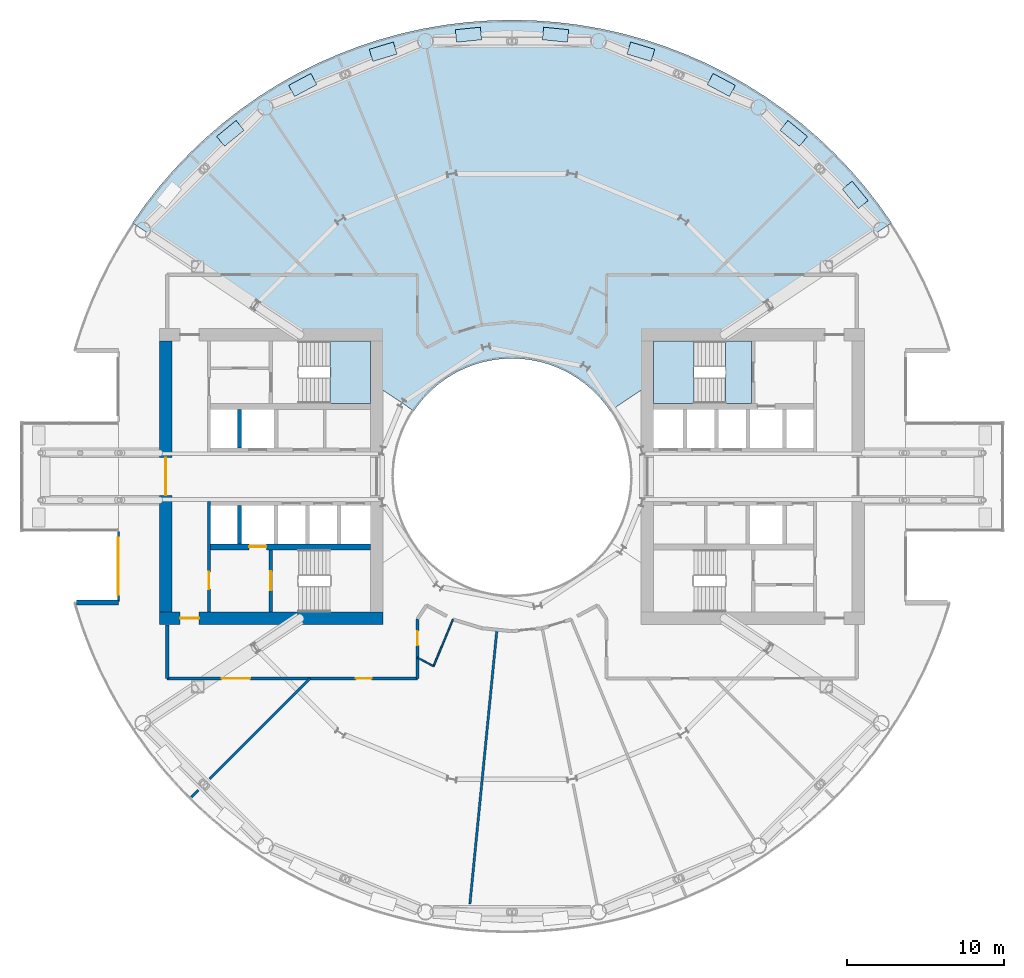
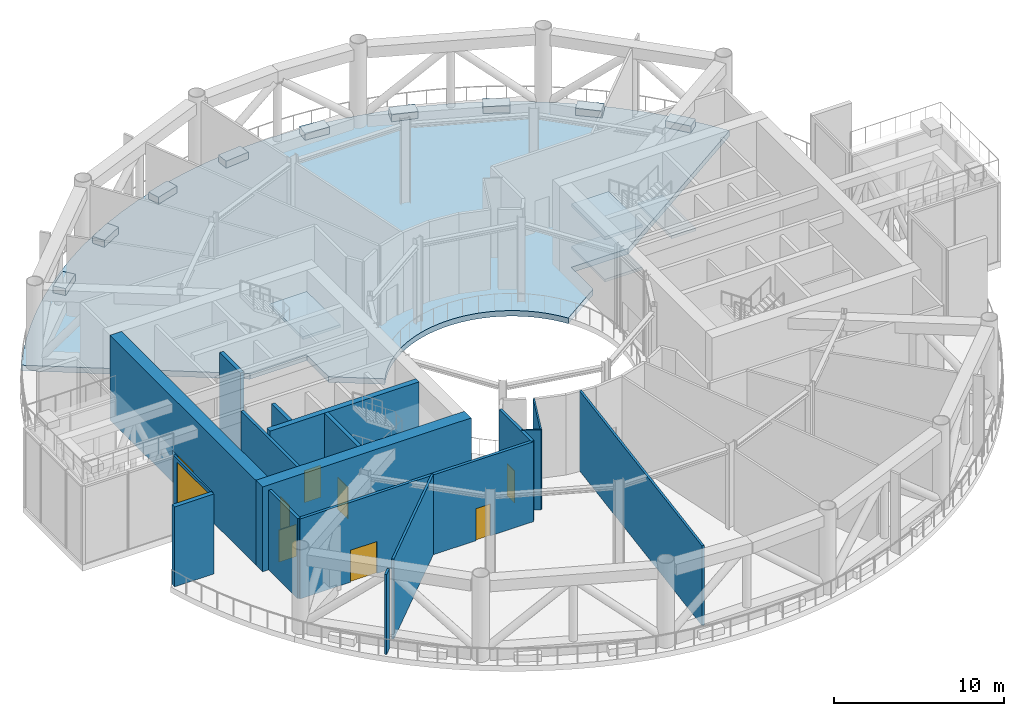
# One storey, part 10 of 22: 17 walls, 14 slabs, 8 doors, 1 window, 9 openings, 2 elements without a shape of their own.
"""IFC4 building model written with IfcOpenShell, lengths in metres."""

from ifc_helpers import new_model, si_unit, direction, frame, frame_2d, origin, place, context, subcontext, project, spatial, polyline, rectangle, outline, extrude, material, layer, layer_set, type_object, element, fill, aggregate, save


model = new_model("IFC4")

# Units and contexts
model_context = context("Model", 3, precision=1e-05, world=origin(), true_north=direction((0.0, 1.0)))
body_context = subcontext(model_context, "Body", "Model", "MODEL_VIEW")
ifc_project = project(units=[si_unit("LENGTHUNIT", "METRE"), si_unit("AREAUNIT", "SQUARE_METRE"), si_unit("VOLUMEUNIT", "CUBIC_METRE"), si_unit("PLANEANGLEUNIT", "RADIAN"), si_unit("MASSUNIT", "GRAM", prefix="KILO")], contexts=[model_context])

# Site, building, storey
site_placement = place(None, origin())
site = spatial("IfcSite", under=ifc_project, at=site_placement, CompositionType="ELEMENT")
building_placement = place(site_placement, origin())
building = spatial("IfcBuilding", under=site, at=building_placement, Name="Maasbend Ring Residences", CompositionType="ELEMENT")
storey_placement = place(building_placement, frame((0.0, 0.0, 57.5)))
storey = spatial("IfcBuildingStorey", under=building, at=storey_placement, Name="L16", CompositionType="ELEMENT", Elevation=57.5)

# Stair, slabs
ifc_material_1 = material(Name="Concrete C40/50", Category="concrete")
stair_type = type_object("IfcStairType", Name="CORE STAIR 36 RISERS", PredefinedType="HALF_TURN_STAIR", material=ifc_material_1)
stair_1_placement = place(storey_placement, origin())
stair_1 = element("IfcStair", 1, at=stair_1_placement, inside=storey, type_object=stair_type, Name="L16 Exit stair ST-E1", PredefinedType="HALF_TURN_STAIR")
ifc_material_2 = material(Name="Concrete C40/50", Category="concrete")
ifc_layer_1 = layer(ifc_material_2, 0.199951171875)
ifc_layer_set_1 = layer_set([ifc_layer_1], Name="Concrete C40/50")
slab_type_1 = type_object("IfcSlabType", Name="CORE STAIR LANDING 200", PredefinedType="LANDING", material=ifc_layer_set_1)
slab_1_placement = place(storey_placement, frame((0.0, 0.0, 1.324951171875)))
slab_1 = element("IfcSlab", 2, at=slab_1_placement, type_object=slab_type_1, Name="ST-E1 landing 1", PredefinedType="LANDING", context=body_context, shape_type="SweptSolid", body=[
    extrude(outline(polyline([(11.550048828125, 8.60009765625), (9.0, 8.60009765625), (9.0, 4.64990234375), (11.550048828125, 4.64990234375), (11.550048828125, 8.60009765625)])), origin(), (0.0, 0.0, 1.0), 0.199951171875),
])
slab_2_placement = place(storey_placement, frame((0.0, 0.0, 2.85009765625)))
slab_2 = element("IfcSlab", 3, at=slab_2_placement, type_object=slab_type_1, Name="ST-E1 landing 2", PredefinedType="LANDING", context=body_context, shape_type="SweptSolid", body=[
    extrude(outline(polyline([(15.199951171875, 8.60009765625), (13.550048828125, 8.60009765625), (13.550048828125, 4.64990234375), (15.199951171875, 4.64990234375), (15.199951171875, 8.60009765625)])), origin(), (0.0, 0.0, 1.0), 0.199951171875),
])
slab_3_placement = place(storey_placement, frame((0.0, 0.0, 4.375)))
slab_3 = element("IfcSlab", 4, at=slab_3_placement, type_object=slab_type_1, Name="ST-E1 landing 3", PredefinedType="LANDING", context=body_context, shape_type="SweptSolid", body=[
    extrude(outline(polyline([(11.550048828125, 8.60009765625), (9.0, 8.60009765625), (9.0, 4.64990234375), (11.550048828125, 4.64990234375), (11.550048828125, 8.60009765625)])), origin(), (0.0, 0.0, 1.0), 0.199951171875),
])
aggregate(stair_1, [slab_1, slab_2, slab_3])

# Stair, slab
stair_2_placement = place(storey_placement, origin())
stair_2 = element("IfcStair", 5, at=stair_2_placement, inside=storey, type_object=stair_type, Name="L16 Exit stair ST-W2", PredefinedType="HALF_TURN_STAIR")
slab_4_placement = place(storey_placement, frame((0.0, 0.0, 4.375)))
slab_4 = element("IfcSlab", 6, at=slab_4_placement, type_object=slab_type_1, Name="ST-W2 landing 3", PredefinedType="LANDING", context=body_context, shape_type="SweptSolid", body=[
    extrude(outline(polyline([(-11.550048828125, 4.64990234375), (-9.0, 4.64990234375), (-9.0, 8.60009765625), (-11.550048828125, 8.60009765625), (-11.550048828125, 4.64990234375)])), origin(), (0.0, 0.0, 1.0), 0.199951171875),
])
aggregate(stair_2, [slab_4])

# Slabs
ifc_material_3 = material(Name="Lawn and planting")
ifc_layer_2 = layer(ifc_material_3, 0.5)
ifc_layer_set_2 = layer_set([ifc_layer_2], Name="PLANTER-GD")
slab_type_2 = type_object("IfcSlabType", Name="PLANTER-GD", PredefinedType="USERDEFINED", material=ifc_layer_set_2)
slab_5_placement = place(storey_placement, origin())
element("IfcSlab", 7, at=slab_5_placement, inside=storey, type_object=slab_type_2, Name="Garden planter 1", ObjectType="PLANTER", PredefinedType="USERDEFINED", context=body_context, shape_type="SweptSolid", body=[
    extrude(outline(polyline([(22.615966796875, 17.52490234375), (21.60107421875, 18.761962890625), (20.98193359375, 18.2548828125), (21.9970703125, 17.01806640625), (22.615966796875, 17.52490234375)])), origin(), (0.0, 0.0, 1.0), 0.5),
])
slab_6_placement = place(storey_placement, origin())
element("IfcSlab", 8, at=slab_6_placement, inside=storey, type_object=slab_type_2, Name="Garden planter 2", ObjectType="PLANTER", PredefinedType="USERDEFINED", context=body_context, shape_type="SweptSolid", body=[
    extrude(outline(polyline([(18.761962890625, 21.60107421875), (17.52490234375, 22.615966796875), (17.01806640625, 21.9970703125), (18.2548828125, 20.98193359375), (18.761962890625, 21.60107421875)])), origin(), (0.0, 0.0, 1.0), 0.5),
])
slab_7_placement = place(storey_placement, origin())
element("IfcSlab", 9, at=slab_7_placement, inside=storey, type_object=slab_type_2, Name="Garden planter 3", ObjectType="PLANTER", PredefinedType="USERDEFINED", context=body_context, shape_type="SweptSolid", body=[
    extrude(outline(polyline([(14.18701171875, 24.845947265625), (12.77587890625, 25.60009765625), (12.39892578125, 24.89501953125), (13.81005859375, 24.139892578125), (14.18701171875, 24.845947265625)])), origin(), (0.0, 0.0, 1.0), 0.5),
])
slab_8_placement = place(storey_placement, origin())
element("IfcSlab", 10, at=slab_8_placement, inside=storey, type_object=slab_type_2, Name="Garden planter 4", ObjectType="PLANTER", PredefinedType="USERDEFINED", context=body_context, shape_type="SweptSolid", body=[
    extrude(outline(polyline([(9.068115234375, 27.135986328125), (7.537109375, 27.60107421875), (7.303955078125, 26.8349609375), (8.8349609375, 26.37109375), (9.068115234375, 27.135986328125)])), origin(), (0.0, 0.0, 1.0), 0.5),
])
slab_9_placement = place(storey_placement, origin())
element("IfcSlab", 11, at=slab_9_placement, inside=storey, type_object=slab_type_2, Name="Garden planter 5", ObjectType="PLANTER", PredefinedType="USERDEFINED", context=body_context, shape_type="SweptSolid", body=[
    extrude(outline(polyline([(3.59912109375, 28.384033203125), (2.007080078125, 28.541015625), (1.928955078125, 27.7451171875), (3.52099609375, 27.587890625), (3.59912109375, 28.384033203125)])), origin(), (0.0, 0.0, 1.0), 0.5),
])
slab_10_placement = place(storey_placement, origin())
element("IfcSlab", 12, at=slab_10_placement, inside=storey, type_object=slab_type_2, Name="Garden planter 6", ObjectType="PLANTER", PredefinedType="USERDEFINED", context=body_context, shape_type="SweptSolid", body=[
    extrude(outline(polyline([(-2.007080078125, 28.541015625), (-3.59912109375, 28.384033203125), (-3.52099609375, 27.587890625), (-1.928955078125, 27.7451171875), (-2.007080078125, 28.541015625)])), origin(), (0.0, 0.0, 1.0), 0.5),
])
slab_11_placement = place(storey_placement, origin())
element("IfcSlab", 13, at=slab_11_placement, inside=storey, type_object=slab_type_2, Name="Garden planter 7", ObjectType="PLANTER", PredefinedType="USERDEFINED", context=body_context, shape_type="SweptSolid", body=[
    extrude(outline(polyline([(-7.537109375, 27.60107421875), (-9.068115234375, 27.135986328125), (-8.8349609375, 26.37109375), (-7.303955078125, 26.8349609375), (-7.537109375, 27.60107421875)])), origin(), (0.0, 0.0, 1.0), 0.5),
])
slab_12_placement = place(storey_placement, origin())
element("IfcSlab", 14, at=slab_12_placement, inside=storey, type_object=slab_type_2, Name="Garden planter 8", ObjectType="PLANTER", PredefinedType="USERDEFINED", context=body_context, shape_type="SweptSolid", body=[
    extrude(outline(polyline([(-12.77587890625, 25.60009765625), (-14.18701171875, 24.845947265625), (-13.81005859375, 24.139892578125), (-12.39892578125, 24.89501953125), (-12.77587890625, 25.60009765625)])), origin(), (0.0, 0.0, 1.0), 0.5),
])
slab_13_placement = place(storey_placement, origin())
element("IfcSlab", 15, at=slab_13_placement, inside=storey, type_object=slab_type_2, Name="Garden planter 9", ObjectType="PLANTER", PredefinedType="USERDEFINED", context=body_context, shape_type="SweptSolid", body=[
    extrude(outline(polyline([(-17.52490234375, 22.615966796875), (-18.761962890625, 21.60107421875), (-18.2548828125, 20.98193359375), (-17.01806640625, 21.9970703125), (-17.52490234375, 22.615966796875)])), origin(), (0.0, 0.0, 1.0), 0.5),
])
ifc_material_4 = material(Name="Concrete C40/50", Category="concrete")
ifc_layer_3 = layer(ifc_material_4, 0.39990234375)
ifc_layer_set_3 = layer_set([ifc_layer_3], Name="Concrete C40/50")
slab_type_3 = type_object("IfcSlabType", Name="Post-tensioned flat plate 400", PredefinedType="FLOOR", material=ifc_layer_set_3)
slab_14_placement = place(storey_placement, frame((0.0, 0.0, -0.39990234375)))
element("IfcSlab", 16, at=slab_14_placement, inside=storey, type_object=slab_type_3, Name="Floor slab L16 sky garden", PredefinedType="FLOOR", context=body_context, shape_type="SweptSolid", body=[
    extrude(outline(polyline([(-24.112548828125, 16.111572265625), (-12.870849609375, 8.60009765625), (-9.0, 8.60009765625), (-9.0, 6.013671875), (-6.236083984375, 4.166748046875), (-6.024169921875, 4.4677734375), (-5.797607421875, 4.7578125), (-5.55712890625, 5.03662109375), (-5.30322265625, 5.30322265625), (-5.03662109375, 5.55712890625), (-4.7578125, 5.797607421875), (-4.4677734375, 6.024169921875), (-4.166748046875, 6.236083984375), (-3.855712890625, 6.43310546875), (-3.535400390625, 6.614501953125), (-3.206787109375, 6.77978515625), (-2.8701171875, 6.92919921875), (-2.526611328125, 7.0615234375), (-2.177001953125, 7.177001953125), (-1.822509765625, 7.275146484375), (-1.463134765625, 7.35595703125), (-1.1005859375, 7.418701171875), (-0.735107421875, 7.4638671875), (-0.367919921875, 7.490966796875), (0.0, 7.5), (0.367919921875, 7.490966796875), (0.735107421875, 7.4638671875), (1.1005859375, 7.418701171875), (1.463134765625, 7.35595703125), (1.822509765625, 7.275146484375), (2.177001953125, 7.177001953125), (2.526611328125, 7.0615234375), (2.8701171875, 6.92919921875), (3.206787109375, 6.77978515625), (3.535400390625, 6.614501953125), (3.855712890625, 6.43310546875), (4.166748046875, 6.236083984375), (4.4677734375, 6.024169921875), (4.7578125, 5.797607421875), (5.03662109375, 5.55712890625), (5.30322265625, 5.30322265625), (5.55712890625, 5.03662109375), (5.797607421875, 4.7578125), (6.024169921875, 4.4677734375), (6.236083984375, 4.166748046875), (9.0, 6.013671875), (9.0, 8.60009765625), (12.870849609375, 8.60009765625), (24.112548828125, 16.111572265625), (23.29296875, 17.275390625), (22.417236328125, 18.3974609375), (21.487548828125, 19.47509765625), (20.506103515625, 20.506103515625), (19.47509765625, 21.487548828125), (18.3974609375, 22.417236328125), (17.275390625, 23.29296875), (16.111572265625, 24.112548828125), (14.908935546875, 24.8740234375), (13.67041015625, 25.57568359375), (12.399169921875, 26.2158203125), (11.097900390625, 26.79248046875), (9.769775390625, 27.3046875), (8.418212890625, 27.751220703125), (7.04638671875, 28.130859375), (5.65771484375, 28.44287109375), (4.255126953125, 28.68603515625), (2.842529296875, 28.8603515625), (1.423095703125, 28.965087890625), (0.0, 29.0), (-1.423095703125, 28.965087890625), (-2.842529296875, 28.8603515625), (-4.255126953125, 28.68603515625), (-5.65771484375, 28.44287109375), (-7.04638671875, 28.130859375), (-8.418212890625, 27.751220703125), (-9.769775390625, 27.3046875), (-11.097900390625, 26.79248046875), (-12.399169921875, 26.2158203125), (-13.67041015625, 25.57568359375), (-14.908935546875, 24.8740234375), (-16.111572265625, 24.112548828125), (-17.275390625, 23.29296875), (-18.3974609375, 22.417236328125), (-19.47509765625, 21.487548828125), (-20.506103515625, 20.506103515625), (-21.487548828125, 19.47509765625), (-22.417236328125, 18.3974609375), (-23.29296875, 17.275390625), (-24.112548828125, 16.111572265625)])), origin(), (0.0, 0.0, 1.0), 0.39990234375),
])

# Wall, opening, door
ifc_material_5 = material(Name="Concrete C70/85", Category="concrete")
ifc_layer_4 = layer(ifc_material_5, 0.25)
ifc_layer_set_4 = layer_set([ifc_layer_4], Name="Concrete C70/85")
wall_type_1 = type_object("IfcWallType", Name="CORE WALL 250 C70/85", PredefinedType="SHEAR", material=ifc_layer_set_4)
wall_1_placement = place(storey_placement, frame((-15.324951171875, -4.64990234375, 0.0), z_axis=(0.0, 0.0, 1.0), x_axis=(0.0, -1.0, 0.0)))
wall_1 = element("IfcWall", 17, at=wall_1_placement, inside=storey, type_object=wall_type_1, Name="L16 core W wall STEN", PredefinedType="SHEAR", context=body_context, shape_type="SweptSolid", body=[
    extrude(rectangle(XDim=3.9501953125, YDim=0.25, at=frame_2d((1.97509765625, 0.0))), origin(), (0.0, 0.0, 1.0), 6.10009765625),
])
opening_1_placement = place(wall_1_placement, frame((1.375, 0.0, 0.0)))
opening_1 = element("IfcOpeningElement", 18, at=opening_1_placement, cuts=wall_1, Name="Opening D-W1609", PredefinedType="OPENING", context=body_context, shape_type="SweptSolid", body=[
    extrude(rectangle(XDim=1.199951171875, YDim=2.300048828125, at=frame_2d((0.60009765625, 1.14990234375))), frame((0.0, 0.135009765625, 0.0), z_axis=(0.0, -1.0, 0.0), x_axis=(1.0, 0.0, 0.0)), (0.0, 0.0, 1.0), 0.27001953125),
])
ifc_material_6 = material(Name="Steel, powder coated", Category="steel")
door_type_1 = type_object("IfcDoorType", Name="STAIR DOOR 1200 X 2300 FD60", OperationType="NOTDEFINED", PredefinedType="DOOR", material=ifc_material_6)
door_1_placement = place(opening_1_placement, origin())
door_1 = element("IfcDoor", 19, at=door_1_placement, inside=storey, type_object=door_type_1, Name="Stair door ST-W L16", OperationType="SINGLE_SWING_LEFT", OverallHeight=2.300048828125, OverallWidth=1.199951171875, PredefinedType="DOOR", context=body_context, shape_type="SweptSolid", body=[
    extrude(rectangle(XDim=1.199951171875, YDim=2.300048828125, at=frame_2d((0.60009765625, 1.14990234375))), frame((0.0, 0.02490234375, 0.0), z_axis=(0.0, -1.0, 0.0), x_axis=(1.0, 0.0, 0.0)), (0.0, 0.0, 1.0), 0.050048828125),
])
fill(opening_1, door_1)

ifc_material_7 = material(Name="Concrete C70/85", Category="concrete")
ifc_layer_5 = layer(ifc_material_7, 0.375)
ifc_layer_set_5 = layer_set([ifc_layer_5], Name="Concrete C70/85")
wall_type_2 = type_object("IfcWallType", Name="CORE WALL 375 C70/85", PredefinedType="SHEAR", material=ifc_layer_set_5)
wall_2_placement = place(storey_placement, frame((-9.0, -4.46240234375, 0.0), z_axis=(0.0, 0.0, 1.0), x_axis=(-1.0, 0.0, 0.0)))
wall_2 = element("IfcWall", 20, at=wall_2_placement, inside=storey, type_object=wall_type_2, Name="L16 core W wall BN", PredefinedType="SHEAR", context=body_context, shape_type="SweptSolid", body=[
    extrude(rectangle(XDim=10.14990234375, YDim=0.375, at=frame_2d((5.074951171875, 0.0))), origin(), (0.0, 0.0, 1.0), 6.10009765625),
])
opening_2_placement = place(wall_2_placement, frame((6.60009765625, 0.0, 0.0)))
opening_2 = element("IfcOpeningElement", 21, at=opening_2_placement, cuts=wall_2, Name="Opening LD-W1604", PredefinedType="OPENING", context=body_context, shape_type="SweptSolid", body=[
    extrude(rectangle(XDim=1.10009765625, YDim=2.300048828125, at=frame_2d((0.550048828125, 1.14990234375))), frame((0.0, 0.197509765625, 0.0), z_axis=(0.0, -1.0, 0.0), x_axis=(1.0, 0.0, 0.0)), (0.0, 0.0, 1.0), 0.39501953125),
])
ifc_material_8 = material(Name="Stainless steel 316", Category="steel")
door_type_2 = type_object("IfcDoorType", Name="LANDING DOOR 1100 X 2300 FD60", OperationType="DOUBLE_DOOR_SLIDING", PredefinedType="DOOR", material=ifc_material_8)
door_2_placement = place(opening_2_placement, origin())
door_2 = element("IfcDoor", 22, at=door_2_placement, inside=storey, type_object=door_type_2, Name="Landing door FF-W L16", OperationType="DOUBLE_DOOR_SLIDING", OverallHeight=2.300048828125, OverallWidth=1.10009765625, PredefinedType="DOOR", context=body_context, shape_type="SweptSolid", body=[
    extrude(rectangle(XDim=1.10009765625, YDim=2.300048828125, at=frame_2d((0.550048828125, 1.14990234375))), frame((0.0, 0.02490234375, 0.0), z_axis=(0.0, -1.0, 0.0), x_axis=(1.0, 0.0, 0.0)), (0.0, 0.0, 1.0), 0.050048828125),
])
fill(opening_2, door_2)

ifc_material_9 = material(Name="Concrete C70/85", Category="concrete")
ifc_layer_6 = layer(ifc_material_9, 0.800048828125)
ifc_layer_set_6 = layer_set([ifc_layer_6], Name="Concrete C70/85")
wall_type_3 = type_object("IfcWallType", Name="CORE WALL 800 C70/85", PredefinedType="SHEAR", material=ifc_layer_set_6)
wall_3_placement = place(storey_placement, frame((-22.39990234375, -9.0, 0.0), z_axis=(0.0, 0.0, 1.0), x_axis=(1.0, 0.0, 0.0)))
wall_3 = element("IfcWall", 23, at=wall_3_placement, inside=storey, type_object=wall_type_3, Name="L16 core W wall PN", PredefinedType="SHEAR", context=body_context, shape_type="SweptSolid", body=[
    extrude(rectangle(XDim=14.199951171875, YDim=0.800048828125, at=frame_2d((7.10009765625, 0.0))), origin(), (0.0, 0.0, 1.0), 6.10009765625),
])
opening_3_placement = place(wall_3_placement, frame((1.324951171875, 0.0, 0.0)))
opening_3 = element("IfcOpeningElement", 24, at=opening_3_placement, cuts=wall_3, Name="Opening D-W1613", PredefinedType="OPENING", context=body_context, shape_type="SweptSolid", body=[
    extrude(rectangle(XDim=1.199951171875, YDim=2.300048828125, at=frame_2d((0.60009765625, 1.14990234375))), frame((0.0, 0.41015625, 0.0), z_axis=(0.0, -1.0, 0.0), x_axis=(1.0, 0.0, 0.0)), (0.0, 0.0, 1.0), 0.820068359375),
])
ifc_material_10 = material(Name="Steel, powder coated", Category="steel")
door_type_3 = type_object("IfcDoorType", Name="CORRIDOR DOOR 1200 X 2300 FD30S", OperationType="NOTDEFINED", PredefinedType="DOOR", material=ifc_material_10)
door_3_placement = place(opening_3_placement, origin())
door_3 = element("IfcDoor", 25, at=door_3_placement, inside=storey, type_object=door_type_3, Name="Corridor door L16", OperationType="SINGLE_SWING_RIGHT", OverallHeight=2.300048828125, OverallWidth=1.199951171875, PredefinedType="DOOR", context=body_context, shape_type="SweptSolid", body=[
    extrude(rectangle(XDim=1.199951171875, YDim=2.300048828125, at=frame_2d((0.60009765625, 1.14990234375))), frame((0.0, 0.02490234375, 0.0), z_axis=(0.0, -1.0, 0.0), x_axis=(1.0, 0.0, 0.0)), (0.0, 0.0, 1.0), 0.050048828125),
])
fill(opening_3, door_3)

wall_4_placement = place(storey_placement, frame((-22.0, -8.60009765625, 0.0), z_axis=(0.0, 0.0, 1.0), x_axis=(0.0, 1.0, 0.0)))
wall_4 = element("IfcWall", 26, at=wall_4_placement, inside=storey, type_object=wall_type_3, Name="L16 core W wall POUT", PredefinedType="SHEAR", context=body_context, shape_type="SweptSolid", body=[
    extrude(rectangle(XDim=17.2001953125, YDim=0.800048828125, at=frame_2d((8.60009765625, 0.0))), origin(), (0.0, 0.0, 1.0), 6.10009765625),
])
opening_4_placement = place(wall_4_placement, frame((7.39990234375, 0.0, 0.0)))
opening_4 = element("IfcOpeningElement", 27, at=opening_4_placement, cuts=wall_4, Name="Opening D-W1615", PredefinedType="OPENING", context=body_context, shape_type="SweptSolid", body=[
    extrude(rectangle(XDim=2.39990234375, YDim=2.300048828125, at=frame_2d((1.199951171875, 1.14990234375))), frame((0.0, 0.41015625, 0.0), z_axis=(0.0, -1.0, 0.0), x_axis=(1.0, 0.0, 0.0)), (0.0, 0.0, 1.0), 0.820068359375),
])
ifc_material_11 = material(Name="Aluminium frame, clear glass", Category="aluminium")
door_type_4 = type_object("IfcDoorType", Name="ENTRANCE DOOR 2400 X 2300 FD60", OperationType="NOTDEFINED", PredefinedType="DOOR", material=ifc_material_11)
door_4_placement = place(opening_4_placement, origin())
door_4 = element("IfcDoor", 28, at=door_4_placement, inside=storey, type_object=door_type_4, Name="Lobby glazed door L16", OperationType="SINGLE_SWING_LEFT", OverallHeight=2.300048828125, OverallWidth=2.39990234375, PredefinedType="DOOR", context=body_context, shape_type="SweptSolid", body=[
    extrude(rectangle(XDim=2.39990234375, YDim=2.300048828125, at=frame_2d((1.199951171875, 1.14990234375))), frame((0.0, 0.02490234375, 0.0), z_axis=(0.0, -1.0, 0.0), x_axis=(1.0, 0.0, 0.0)), (0.0, 0.0, 1.0), 0.050048828125),
])
fill(opening_4, door_4)

# Wall, openings, doors
ifc_material_12 = material(Name="Concrete C30/37", Category="concrete")
ifc_layer_7 = layer(ifc_material_12, 0.199951171875)
ifc_layer_set_7 = layer_set([ifc_layer_7], Name="Concrete C30/37")
wall_type_4 = type_object("IfcWallType", Name="CORRIDOR WALL 200 CONCRETE", PredefinedType="PARTITIONING", material=ifc_layer_set_7)
wall_5_placement = place(storey_placement, frame((-21.89990234375, -12.820068359375, 0.0), z_axis=(0.0, 0.0, 1.0), x_axis=(1.0, 0.0, 0.0)))
wall_5 = element("IfcWall", 29, at=wall_5_placement, inside=storey, type_object=wall_type_4, Name="U-L16-w004", PredefinedType="PARTITIONING", context=body_context, shape_type="SweptSolid", body=[
    extrude(rectangle(XDim=15.89990234375, YDim=0.199951171875, at=frame_2d((7.949951171875, 0.0))), origin(), (0.0, 0.0, 1.0), 5.75),
])
opening_5_placement = place(wall_5_placement, frame((11.989990234375, 0.0, 0.0)))
opening_5 = element("IfcOpeningElement", 30, at=opening_5_placement, cuts=wall_5, Name="Opening D-1607", PredefinedType="OPENING", context=body_context, shape_type="SweptSolid", body=[
    extrude(rectangle(XDim=1.0, YDim=2.300048828125, at=frame_2d((0.5, 1.14990234375))), frame((0.0, 0.10986328125, 0.0), z_axis=(0.0, -1.0, 0.0), x_axis=(1.0, 0.0, 0.0)), (0.0, 0.0, 1.0), 0.219970703125),
])
opening_6_placement = place(wall_5_placement, frame((3.464111328125, 0.0, 0.0)))
opening_6 = element("IfcOpeningElement", 31, at=opening_6_placement, cuts=wall_5, Name="Opening D-1613", PredefinedType="OPENING", context=body_context, shape_type="SweptSolid", body=[
    extrude(rectangle(XDim=1.800048828125, YDim=2.300048828125, at=frame_2d((0.89990234375, 1.14990234375))), frame((0.0, 0.10986328125, 0.0), z_axis=(0.0, -1.0, 0.0), x_axis=(1.0, 0.0, 0.0)), (0.0, 0.0, 1.0), 0.219970703125),
])
ifc_material_13 = material(Name="Timber, painted", Category="wood")
door_type_5 = type_object("IfcDoorType", Name="DOUBLE DOOR 1800 X 2300", OperationType="NOTDEFINED", PredefinedType="DOOR", material=ifc_material_13)
door_5_placement = place(opening_6_placement, origin())
door_5 = element("IfcDoor", 32, at=door_5_placement, inside=storey, type_object=door_type_5, Name="D-1613", OperationType="DOUBLE_DOOR_SINGLE_SWING", OverallHeight=2.300048828125, OverallWidth=1.800048828125, PredefinedType="DOOR", context=body_context, shape_type="SweptSolid", body=[
    extrude(rectangle(XDim=1.800048828125, YDim=2.300048828125, at=frame_2d((0.89990234375, 1.14990234375))), frame((0.0, 0.02490234375, 0.0), z_axis=(0.0, -1.0, 0.0), x_axis=(1.0, 0.0, 0.0)), (0.0, 0.0, 1.0), 0.050048828125),
])
fill(opening_6, door_5)
ifc_material_14 = material(Name="Timber, painted", Category="wood")
door_type_6 = type_object("IfcDoorType", Name="ROOM DOOR 1000 X 2300", OperationType="NOTDEFINED", PredefinedType="DOOR", material=ifc_material_14)
door_6_placement = place(opening_5_placement, origin())
door_6 = element("IfcDoor", 33, at=door_6_placement, inside=storey, type_object=door_type_6, Name="D-1607", OperationType="SINGLE_SWING_RIGHT", OverallHeight=2.300048828125, OverallWidth=1.0, PredefinedType="DOOR", context=body_context, shape_type="SweptSolid", body=[
    extrude(rectangle(XDim=1.0, YDim=2.300048828125, at=frame_2d((0.5, 1.14990234375))), frame((0.0, 0.02490234375, 0.0), z_axis=(0.0, -1.0, 0.0), x_axis=(1.0, 0.0, 0.0)), (0.0, 0.0, 1.0), 0.050048828125),
])
fill(opening_5, door_6)

# Wall, opening, door
wall_6_placement = place(storey_placement, frame((-6.0, -12.820068359375, 0.0), z_axis=(0.0, 0.0, 1.0), x_axis=(0.0, 1.0, 0.0)))
wall_6 = element("IfcWall", 34, at=wall_6_placement, inside=storey, type_object=wall_type_4, Name="U-L16-w041", PredefinedType="PARTITIONING", context=body_context, shape_type="SweptSolid", body=[
    extrude(rectangle(XDim=3.7861328125, YDim=0.199951171875, at=frame_2d((1.89306640625, 0.0))), origin(), (0.0, 0.0, 1.0), 5.75),
])
opening_7_placement = place(wall_6_placement, frame((2.10205078125, 0.0, 0.0)))
opening_7 = element("IfcOpeningElement", 35, at=opening_7_placement, cuts=wall_6, Name="Opening D-1606", PredefinedType="OPENING", context=body_context, shape_type="SweptSolid", body=[
    extrude(rectangle(XDim=0.89990234375, YDim=2.300048828125, at=frame_2d((0.449951171875, 1.14990234375))), frame((0.0, 0.10986328125, 0.0), z_axis=(0.0, -1.0, 0.0), x_axis=(1.0, 0.0, 0.0)), (0.0, 0.0, 1.0), 0.219970703125),
])
ifc_material_15 = material(Name="Timber, painted", Category="wood")
door_type_7 = type_object("IfcDoorType", Name="INTERNAL DOOR 900 X 2300", OperationType="NOTDEFINED", PredefinedType="DOOR", material=ifc_material_15)
door_7_placement = place(opening_7_placement, origin())
door_7 = element("IfcDoor", 36, at=door_7_placement, inside=storey, type_object=door_type_7, Name="D-1606", OperationType="SINGLE_SWING_RIGHT", OverallHeight=2.300048828125, OverallWidth=0.89990234375, PredefinedType="DOOR", context=body_context, shape_type="SweptSolid", body=[
    extrude(rectangle(XDim=0.89990234375, YDim=2.300048828125, at=frame_2d((0.449951171875, 1.14990234375))), frame((0.0, 0.02490234375, 0.0), z_axis=(0.0, -1.0, 0.0), x_axis=(1.0, 0.0, 0.0)), (0.0, 0.0, 1.0), 0.050048828125),
])
fill(opening_7, door_7)

# Walls
wall_7_placement = place(storey_placement, frame((-21.89990234375, -12.820068359375, 0.0), z_axis=(0.0, 0.0, 1.0), x_axis=(0.0, 1.0, 0.0)))
element("IfcWall", 37, at=wall_7_placement, inside=storey, type_object=wall_type_4, Name="U-L16-w052", PredefinedType="PARTITIONING", context=body_context, shape_type="SweptSolid", body=[
    extrude(rectangle(XDim=3.400146484375, YDim=0.199951171875, at=frame_2d((1.7001953125, 0.0))), origin(), (0.0, 0.0, 1.0), 5.75),
])
ifc_material_16 = material(Name="Aluminium clad insulated panel", Category="aluminium")
ifc_layer_8 = layer(ifc_material_16, 0.300048828125)
ifc_layer_set_8 = layer_set([ifc_layer_8], Name="EW-RET")
wall_type_5 = type_object("IfcWallType", Name="EW-RET", PredefinedType="SOLIDWALL", material=ifc_layer_set_8)
wall_8_placement = place(storey_placement, frame((-25.0, -8.0, 0.0), z_axis=(0.0, 0.0, 1.0), x_axis=(-1.0, 0.0, 0.0)))
element("IfcWall", 38, at=wall_8_placement, inside=storey, type_object=wall_type_5, Name="Notch return wall west south", PredefinedType="SOLIDWALL", context=body_context, shape_type="SweptSolid", body=[
    extrude(rectangle(XDim=2.6669921875, YDim=0.300048828125, at=frame_2d((1.33349609375, 0.0))), origin(), (0.0, 0.0, 1.0), 5.75),
])

# Wall, opening, window
ifc_material_17 = material(Name="Aluminium frame and clear glass", Category="aluminium")
ifc_layer_9 = layer(ifc_material_17, 0.1201171875)
ifc_layer_set_9 = layer_set([ifc_layer_9], Name="GLAZED SCREEN WALL 120 EI 60")
wall_type_6 = type_object("IfcWallType", Name="GLAZED SCREEN WALL 120 EI 60", PredefinedType="PARTITIONING", material=ifc_layer_set_9)
wall_9_placement = place(storey_placement, frame((-25.0, -3.5, 0.0), z_axis=(0.0, 0.0, 1.0), x_axis=(0.0, -1.0, 0.0)))
wall_9 = element("IfcWall", 39, at=wall_9_placement, inside=storey, type_object=wall_type_6, Name="L16 core W wall FACEB", PredefinedType="PARTITIONING", context=body_context, shape_type="SweptSolid", body=[
    extrude(rectangle(XDim=4.449951171875, YDim=0.1201171875, at=frame_2d((2.22509765625, 0.0))), origin(), (0.0, 0.0, 1.0), 5.75),
])
opening_8_placement = place(wall_9_placement, frame((0.39990234375, 0.0, 0.10009765625)))
opening_8 = element("IfcOpeningElement", 40, at=opening_8_placement, cuts=wall_9, Name="Opening W-W1603", PredefinedType="OPENING", context=body_context, shape_type="SweptSolid", body=[
    extrude(rectangle(XDim=3.60009765625, YDim=5.39990234375, at=frame_2d((1.800048828125, 2.699951171875))), frame((0.0, 0.070068359375, 0.0), z_axis=(0.0, -1.0, 0.0), x_axis=(1.0, 0.0, 0.0)), (0.0, 0.0, 1.0), 0.14013671875),
])
ifc_material_18 = material(Name="Aluminium frame and clear glass", Category="aluminium")
window_type = type_object("IfcWindowType", Name="FIXED WINDOW 3600 X 5400", PartitioningType="SINGLE_PANEL", PredefinedType="WINDOW", material=ifc_material_18)
window_placement = place(opening_8_placement, origin())
window = element("IfcWindow", 41, at=window_placement, inside=storey, type_object=window_type, Name="Lobby window L16", OverallHeight=5.39990234375, OverallWidth=3.60009765625, PartitioningType="SINGLE_PANEL", PredefinedType="WINDOW", context=body_context, shape_type="SweptSolid", body=[
    extrude(rectangle(XDim=3.60009765625, YDim=5.39990234375, at=frame_2d((1.800048828125, 2.699951171875))), frame((0.0, 0.030029296875, 0.0), z_axis=(0.0, -1.0, 0.0), x_axis=(1.0, 0.0, 0.0)), (0.0, 0.0, 1.0), 0.06005859375),
])
fill(opening_8, window)

# Walls
ifc_material_19 = material(Name="Gypsum board on steel studs", Category="steel")
ifc_layer_10 = layer(ifc_material_19, 0.10009765625)
ifc_layer_set_10 = layer_set([ifc_layer_10], Name="PARTITION 100 GYPSUM")
wall_type_7 = type_object("IfcWallType", Name="PARTITION 100 GYPSUM", PredefinedType="PARTITIONING", material=ifc_layer_set_10)
wall_10_placement = place(storey_placement, frame((-6.0, -11.5029296875, 0.0), z_axis=(0.0, 0.0, 1.0), x_axis=(0.882235076446, -0.470809165042, 0.0)))
element("IfcWall", 42, at=wall_10_placement, inside=storey, type_object=wall_type_7, Name="U-L16-w003", PredefinedType="PARTITIONING", context=body_context, shape_type="SweptSolid", body=[
    extrude(rectangle(XDim=1.14697265625, YDim=0.10009765625, at=frame_2d((0.573486328125, 0.0))), origin(), (0.0, 0.0, 1.0), 5.75),
])
wall_11_placement = place(storey_placement, frame((-4.98388671875, -12.044921875, 0.0), z_axis=(0.0, 0.0, 1.0), x_axis=(0.382517205945, 0.923948368231, 0.0)))
element("IfcWall", 43, at=wall_11_placement, inside=storey, type_object=wall_type_7, Name="U-L16-w025", PredefinedType="PARTITIONING", context=body_context, shape_type="SweptSolid", body=[
    extrude(rectangle(XDim=3.215576171875, YDim=0.10009765625, at=frame_2d((1.60791015625, 0.0))), origin(), (0.0, 0.0, 1.0), 5.75),
])
ifc_material_20 = material(Name="Gypsum board on steel studs", Category="steel")
ifc_layer_11 = layer(ifc_material_20, 0.14990234375)
ifc_layer_set_11 = layer_set([ifc_layer_11], Name="PARTITION 150 GYPSUM")
wall_type_8 = type_object("IfcWallType", Name="PARTITION 150 GYPSUM", PredefinedType="PARTITIONING", material=ifc_layer_set_11)
wall_12_placement = place(storey_placement, frame((-20.364990234375, -20.364990234375, 0.0), z_axis=(0.0, 0.0, 1.0), x_axis=(0.707106781187, 0.707106781187, 0.0)))
element("IfcWall", 44, at=wall_12_placement, inside=storey, type_object=wall_type_8, Name="U-L16-w016", PredefinedType="PARTITIONING", context=body_context, shape_type="SweptSolid", body=[
    extrude(rectangle(XDim=0.64208984375, YDim=0.14990234375, at=frame_2d((0.321044921875, 0.0))), origin(), (0.0, 0.0, 1.0), 5.75),
])
wall_13_placement = place(storey_placement, frame((-19.2041015625, -19.2041015625, 0.0), z_axis=(0.0, 0.0, 1.0), x_axis=(0.707106781187, 0.707106781187, 0.0)))
element("IfcWall", 45, at=wall_13_placement, inside=storey, type_object=wall_type_8, Name="U-L16-w018", PredefinedType="PARTITIONING", context=body_context, shape_type="SweptSolid", body=[
    extrude(rectangle(XDim=9.0283203125, YDim=0.14990234375, at=frame_2d((4.51416015625, 0.0))), origin(), (0.0, 0.0, 1.0), 5.75),
])
wall_14_placement = place(storey_placement, frame((-2.675048828125, -27.157958984375, 0.0), z_axis=(0.0, 0.0, 1.0), x_axis=(0.098025634079, 0.995183890074, 0.0)))
element("IfcWall", 46, at=wall_14_placement, inside=storey, type_object=wall_type_8, Name="U-L16-w027", PredefinedType="PARTITIONING", context=body_context, shape_type="SweptSolid", body=[
    extrude(rectangle(XDim=17.516357421875, YDim=0.14990234375, at=frame_2d((8.75830078125, 0.0))), origin(), (0.0, 0.0, 1.0), 5.75),
])

# Wall, opening, door
ifc_material_21 = material(Name="Concrete C30/37", Category="concrete")
ifc_layer_12 = layer(ifc_material_21, 0.199951171875)
ifc_layer_set_12 = layer_set([ifc_layer_12], Name="Concrete C30/37")
wall_type_9 = type_object("IfcWallType", Name="SHAFT WALL 200 EI 120", PredefinedType="SOLIDWALL", material=ifc_layer_set_12)
wall_15_placement = place(storey_placement, frame((-19.25, -1.574951171875, 0.0), z_axis=(0.0, 0.0, 1.0), x_axis=(0.0, -1.0, 0.0)))
wall_15 = element("IfcWall", 47, at=wall_15_placement, inside=storey, type_object=wall_type_9, Name="L16 core W wall ENDN", PredefinedType="SOLIDWALL", context=body_context, shape_type="SweptSolid", body=[
    extrude(rectangle(XDim=7.025146484375, YDim=0.199951171875, at=frame_2d((3.5126953125, 0.0))), origin(), (0.0, 0.0, 1.0), 5.75),
])
opening_9_placement = place(wall_15_placement, frame((4.47509765625, 0.0, 0.0)))
opening_9 = element("IfcOpeningElement", 48, at=opening_9_placement, cuts=wall_15, Name="Opening D-W1611", PredefinedType="OPENING", context=body_context, shape_type="SweptSolid", body=[
    extrude(rectangle(XDim=1.10009765625, YDim=2.300048828125, at=frame_2d((0.550048828125, 1.14990234375))), frame((0.0, 0.10986328125, 0.0), z_axis=(0.0, -1.0, 0.0), x_axis=(1.0, 0.0, 0.0)), (0.0, 0.0, 1.0), 0.219970703125),
])
ifc_material_22 = material(Name="Steel, powder coated", Category="steel")
door_type_8 = type_object("IfcDoorType", Name="LOBBY DOOR 1100 X 2300 FD60", OperationType="NOTDEFINED", PredefinedType="DOOR", material=ifc_material_22)
door_8_placement = place(opening_9_placement, origin())
door_8 = element("IfcDoor", 49, at=door_8_placement, inside=storey, type_object=door_type_8, Name="Lobby door L16", OperationType="SINGLE_SWING_LEFT", OverallHeight=2.300048828125, OverallWidth=1.10009765625, PredefinedType="DOOR", context=body_context, shape_type="SweptSolid", body=[
    extrude(rectangle(XDim=1.10009765625, YDim=2.300048828125, at=frame_2d((0.550048828125, 1.14990234375))), frame((0.0, 0.02490234375, 0.0), z_axis=(0.0, -1.0, 0.0), x_axis=(1.0, 0.0, 0.0)), (0.0, 0.0, 1.0), 0.050048828125),
])
fill(opening_9, door_8)

# Walls
ifc_material_23 = material(Name="Concrete C30/37", Category="concrete")
ifc_layer_13 = layer(ifc_material_23, 0.25)
ifc_layer_set_13 = layer_set([ifc_layer_13], Name="Concrete C30/37")
wall_type_10 = type_object("IfcWallType", Name="SHAFT WALL 250 EI 120", PredefinedType="SOLIDWALL", material=ifc_layer_set_13)
for number, where, z_axis, x_axis, name in (
    (50, (-17.300048828125, -1.824951171875, 0.0), (0.0, 0.0, 1.0), (0.0, -1.0, 0.0), "L16 core W wall D173N"),
    (51, (-17.300048828125, 1.824951171875, 0.0), (0.0, 0.0, 1.0), (0.0, 1.0, 0.0), "L16 core W wall D173S"),
):
    element("IfcWall", number, at=place(storey_placement, frame(where, z_axis=z_axis, x_axis=x_axis)), inside=storey, type_object=wall_type_10, Name=name, PredefinedType="SOLIDWALL", context=body_context, shape_type="SweptSolid", body=[
        extrude(rectangle(XDim=2.449951171875, YDim=0.25, at=frame_2d((1.22509765625, 0.0))), origin(), (0.0, 0.0, 1.0), 5.75),
    ])

save(model, "model.ifc")
